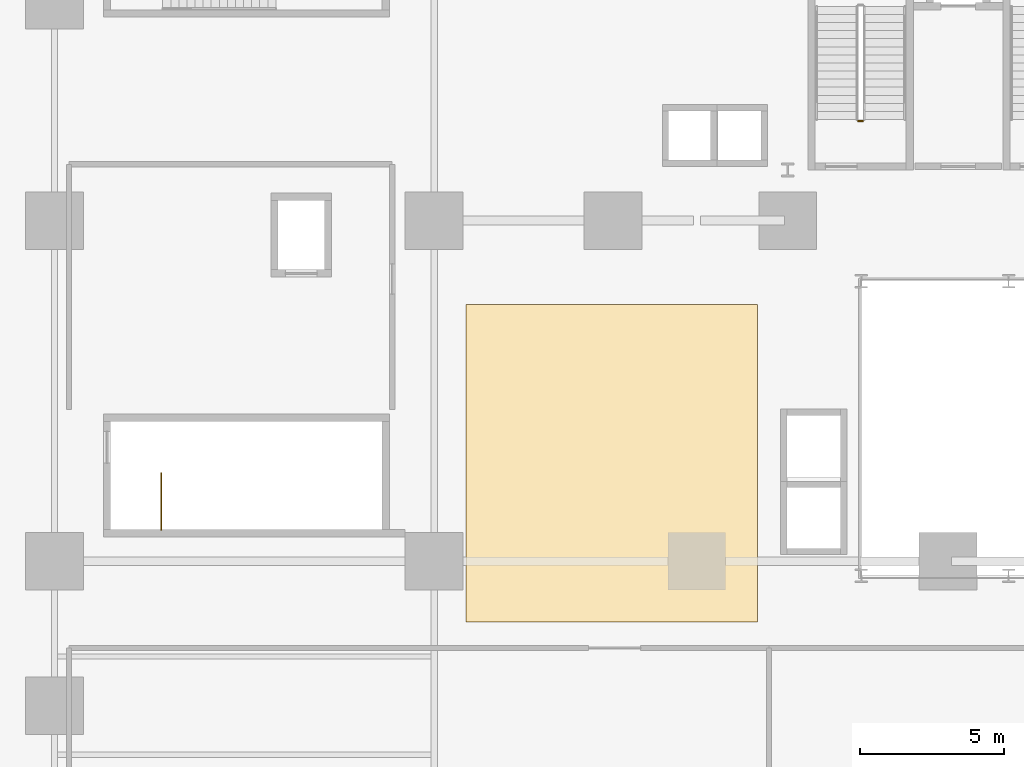
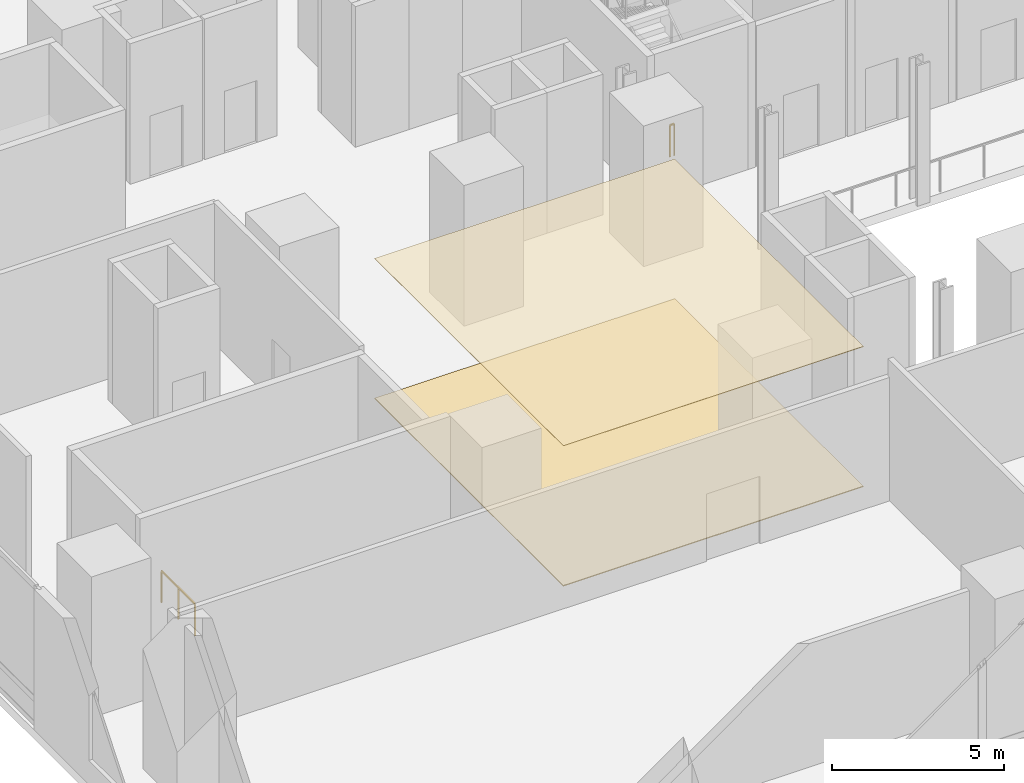
# One storey, part 12 of 15: 2 coverings, 2 railings.
"""IFC4 building model written with IfcOpenShell, lengths in metres."""

import ifcopenshell
import ifcopenshell.guid

model = None  # the IFC model being written
_history = None  # IfcOwnerHistory: only IFC2X3 demands one
_inside = {}  # id of a spatial element -> (the spatial element, [elements in it])
_under = {}  # id of a project, library or spatial element -> (it, [spatial elements below it])
_declared = {}  # id of a project -> (the project, [libraries it declares])
_typed = {}  # id of a type object -> (the type object, [elements of that type])
_made_of = {}  # id of a material, layer set ... -> (it, [elements and type objects made of it])


def new_model(schema):
    """Start an empty IFC model of exactly this schema.

    Asked for "IFC4X3", IfcOpenShell would pick the latest addendum, in which some entities
    have other attributes; the version numbers below select the first issue.
    IFC2X3 requires an IfcOwnerHistory on every rooted entity: one is made here for all.
    """
    global model, _history
    if schema == "IFC4X3":
        model = ifcopenshell.file(schema_version=(4, 3, 0, 0))
    else:
        model = ifcopenshell.file(schema=schema)
    _inside.clear()
    _under.clear()
    _declared.clear()
    _typed.clear()
    _made_of.clear()
    _history = None
    if model.schema == "IFC2X3":
        org = make("IfcOrganization", Name="unknown")
        user = make(
            "IfcPersonAndOrganization",
            ThePerson=make("IfcPerson", FamilyName="unknown"),
            TheOrganization=org,
        )
        app = make(
            "IfcApplication",
            ApplicationDeveloper=org,
            Version="unknown",
            ApplicationFullName="unknown",
            ApplicationIdentifier="unknown",
        )
        _history = make(
            "IfcOwnerHistory",
            OwningUser=user,
            OwningApplication=app,
            ChangeAction="ADDED",
            CreationDate=0,
        )
    return model


def make(cls, **values):
    """One entity of the class cls with the attributes given. An attribute that is None is left unset."""
    return model.create_entity(
        cls, **{name: value for name, value in values.items() if value is not None}
    )


def rooted(cls, **values):
    """An entity with a GlobalId (a new one), such as an element, a storey or a relation."""
    return make(cls, GlobalId=ifcopenshell.guid.new(), OwnerHistory=_history, **values)


def si_unit(unit_type, name, prefix=None):
    """IfcSIUnit, for example si_unit("LENGTHUNIT", "METRE", prefix="MILLI")."""
    return make("IfcSIUnit", UnitType=unit_type, Prefix=prefix, Name=name)


def assignment(units):
    """IfcUnitAssignment: the units of a project."""
    return None if units is None else make("IfcUnitAssignment", Units=units)


def point(xyz):
    """IfcCartesianPoint."""
    return None if xyz is None else make("IfcCartesianPoint", Coordinates=xyz)


def direction(xyz):
    """IfcDirection."""
    return None if xyz is None else make("IfcDirection", DirectionRatios=xyz)


def frame(location, z_axis=None, x_axis=None):
    """IfcAxis2Placement3D, a coordinate frame: its origin and axes. An axis left out is left unset."""
    return make(
        "IfcAxis2Placement3D",
        Location=point(location),
        Axis=direction(z_axis),
        RefDirection=direction(x_axis),
    )


def frame_2d(location, x_axis=None):
    """IfcAxis2Placement2D, a coordinate frame in the plane: its origin and x axis."""
    return make(
        "IfcAxis2Placement2D", Location=point(location), RefDirection=direction(x_axis)
    )


def origin():
    """The frame at (0, 0, 0) with its axes left unset."""
    return frame((0.0, 0.0, 0.0))


def origin_2d():
    """The frame at (0, 0) in the plane with its x axis left unset."""
    return frame_2d((0.0, 0.0))


def place(relative_to, where):
    """IfcLocalPlacement: puts the frame where relative to a parent placement (None: the world)."""
    return make(
        "IfcLocalPlacement", PlacementRelTo=relative_to, RelativePlacement=where
    )


def context(
    kind, dimensions, precision=None, world=None, true_north=None, identifier=None
):
    """IfcGeometricRepresentationContext, for example the 3D "Model" context."""
    return make(
        "IfcGeometricRepresentationContext",
        ContextIdentifier=identifier,
        ContextType=kind,
        CoordinateSpaceDimension=dimensions,
        Precision=precision,
        WorldCoordinateSystem=world,
        TrueNorth=true_north,
    )


def subcontext(parent, identifier, kind, view, scale=None):
    """IfcGeometricRepresentationSubContext, for example "Body" below "Model"."""
    return make(
        "IfcGeometricRepresentationSubContext",
        ContextIdentifier=identifier,
        ContextType=kind,
        ParentContext=parent,
        TargetScale=scale,
        TargetView=view,
    )


def project(units=None, contexts=None):
    """IfcProject with its units and contexts."""
    return rooted(
        "IfcProject",
        Name="project",
        RepresentationContexts=contexts,
        UnitsInContext=assignment(units),
    )


def spatial(cls, under=None, at=None, **own):
    """A site, building, storey or space (cls), placed at a placement, below another one or the project."""
    s = rooted(cls, ObjectPlacement=at, **own)
    if under is not None:
        _under.setdefault(under.id(), (under, []))[1].append(s)
    return s


def polyline(points):
    """IfcPolyline through the points."""
    return make("IfcPolyline", Points=[point(p) for p in points])


def profile(cls, at=None, kind="AREA", **sizes):
    """A parametric profile (cls). Its sizes go by their IFC names, for example OverallWidth=200.0."""
    return make(cls, ProfileType=kind, Position=at, **sizes)


def rectangle(**sizes):
    """IfcRectangleProfileDef."""
    return profile("IfcRectangleProfileDef", **sizes)


def outline(outer, holes=None, kind="AREA"):
    """IfcArbitraryClosedProfileDef: a profile drawn as a closed curve; with holes, ...WithVoids."""
    if holes is None:
        return make("IfcArbitraryClosedProfileDef", ProfileType=kind, OuterCurve=outer)
    return make(
        "IfcArbitraryProfileDefWithVoids",
        ProfileType=kind,
        OuterCurve=outer,
        InnerCurves=holes,
    )


def extrude(swept, where, along, depth):
    """IfcExtrudedAreaSolid: the profile swept, set in the frame where, extruded along a direction by depth."""
    return make(
        "IfcExtrudedAreaSolid",
        SweptArea=swept,
        Position=where,
        ExtrudedDirection=direction(along),
        Depth=depth,
    )


def shape(context_of_items, identifier, shape_type, items):
    """IfcShapeRepresentation: the items that make up one representation, for example the "Body"."""
    return make(
        "IfcShapeRepresentation",
        ContextOfItems=context_of_items,
        RepresentationIdentifier=identifier,
        RepresentationType=shape_type,
        Items=items,
    )


def source(mapping_origin, context_of_items, identifier, shape_type, items):
    """IfcRepresentationMap: a shape defined once, which mapped items show again and again."""
    return make(
        "IfcRepresentationMap",
        MappingOrigin=mapping_origin,
        MappedRepresentation=shape(context_of_items, identifier, shape_type, items),
    )


def transform(
    local_origin,
    x_axis=None,
    y_axis=None,
    z_axis=None,
    scale=None,
    scale2=None,
    scale3=None,
    uniform=True,
):
    """IfcCartesianTransformationOperator3D, or its non-uniform kind. x_axis, y_axis, z_axis: its Axis1, 2, 3."""
    if uniform:
        return make(
            "IfcCartesianTransformationOperator3D",
            Axis1=direction(x_axis),
            Axis2=direction(y_axis),
            LocalOrigin=point(local_origin),
            Scale=scale,
            Axis3=direction(z_axis),
        )
    return make(
        "IfcCartesianTransformationOperator3DnonUniform",
        Axis1=direction(x_axis),
        Axis2=direction(y_axis),
        LocalOrigin=point(local_origin),
        Scale=scale,
        Axis3=direction(z_axis),
        Scale2=scale2,
        Scale3=scale3,
    )


def mapped(mapping_source, mapping_target):
    """IfcMappedItem: shows the shape of a source again, moved by a transform."""
    return make(
        "IfcMappedItem", MappingSource=mapping_source, MappingTarget=mapping_target
    )


def material(Name=None, Category=None):
    """IfcMaterial."""
    return make("IfcMaterial", Name=Name, Category=Category)


def layer(
    of_material, thickness, ventilated=None, Name=None, Category=None, Priority=None
):
    """IfcMaterialLayer: one layer of a wall or slab, of a material (None: an air gap)."""
    return make(
        "IfcMaterialLayer",
        Material=of_material,
        LayerThickness=thickness,
        IsVentilated=ventilated,
        Name=Name,
        Category=Category,
        Priority=Priority,
    )


def layer_set(layers, Name=None):
    """IfcMaterialLayerSet."""
    return make("IfcMaterialLayerSet", MaterialLayers=layers, LayerSetName=Name)


def made_of(thing, what):
    """Note that an element or type object is made of a material, layer set ...; save() writes the relation."""
    if what is not None:
        _made_of.setdefault(what.id(), (what, []))[1].append(thing)
    return thing


def type_object(cls, material=None, **own):
    """A type object (cls), such as IfcWallType, which elements share."""
    return made_of(rooted(cls, **own), material)


def element(
    cls,
    number,
    at=None,
    inside=None,
    cuts=None,
    type_object=None,
    material=None,
    context=None,
    identifier="Body",
    shape_type=None,
    held_by="IfcProductDefinitionShape",
    body=None,
    shapes=None,
    **own,
):
    """One element of the class cls, such as IfcWall. Its Tag is "e" and its number.

    at: its placement. inside: the storey or other place that contains it. cuts: it is an
    opening in that element (IfcRelVoidsElement). A single representation is given by context,
    identifier, shape_type and body (its items); several are given by shapes. held_by: the class
    of the entity that holds the representations. save() writes the other relations.
    """
    e = rooted(cls, Tag="e%d" % number, ObjectPlacement=at, **own)
    if body is not None:
        shapes = [shape(context, identifier, shape_type, body)]
    if shapes is not None:
        e.Representation = make(held_by, Representations=shapes)
    if inside is not None:
        _inside.setdefault(inside.id(), (inside, []))[1].append(e)
    if cuts is not None:
        rooted(
            "IfcRelVoidsElement", RelatingBuildingElement=cuts, RelatedOpeningElement=e
        )
    if type_object is not None:
        _typed.setdefault(type_object.id(), (type_object, []))[1].append(e)
    return made_of(e, material)


def aggregate(whole, parts):
    """IfcRelAggregates: a whole, such as a stair, and the parts it consists of."""
    return rooted("IfcRelAggregates", RelatingObject=whole, RelatedObjects=parts)


def save(model, path):
    """Write the relations noted so far, then the file.

    IfcRelAggregates (storeys below a building ...), IfcRelContainedInSpatialStructure (elements
    in a storey), IfcRelDefinesByType, IfcRelAssociatesMaterial and IfcRelDeclares: one each for
    every whole, place, type object, material and project.
    """
    for whole, parts in _under.values():
        aggregate(whole, parts)
    for where, things in _inside.values():
        rooted(
            "IfcRelContainedInSpatialStructure",
            RelatedElements=things,
            RelatingStructure=where,
        )
    for kind, things in _typed.values():
        rooted("IfcRelDefinesByType", RelatedObjects=things, RelatingType=kind)
    for what, things in _made_of.values():
        rooted("IfcRelAssociatesMaterial", RelatedObjects=things, RelatingMaterial=what)
    for by, libraries in _declared.values():
        rooted("IfcRelDeclares", RelatingContext=by, RelatedDefinitions=libraries)
    model.write(path)


model = new_model("IFC4")

# Units and contexts
model_context = context("Model", 3, precision=1e-05, world=origin(), true_north=direction((0.0, 1.0)))
body_context = subcontext(model_context, "Body", "Model", "MODEL_VIEW")
ifc_project = project(units=[si_unit("LENGTHUNIT", "METRE"), si_unit("AREAUNIT", "SQUARE_METRE"), si_unit("VOLUMEUNIT", "CUBIC_METRE"), si_unit("PLANEANGLEUNIT", "RADIAN"), si_unit("MASSUNIT", "GRAM", prefix="KILO")], contexts=[model_context])

# Site, building, storey
site_placement = place(None, origin())
site = spatial("IfcSite", under=ifc_project, at=site_placement, CompositionType="ELEMENT")
building_placement = place(site_placement, origin())
building = spatial("IfcBuilding", under=site, at=building_placement, Name="Vardaveli Station Tower", CompositionType="ELEMENT")
storey_placement = place(building_placement, frame((0.0, 0.0, 6.0)))
storey = spatial("IfcBuildingStorey", under=building, at=storey_placement, Name="L02", CompositionType="ELEMENT", Elevation=6.0)

# Coverings
ifc_material_1 = material(Name="Perforated acoustic mineral ceiling")
ifc_layer_1 = layer(ifc_material_1, 0.02001953125, Name="Perforated acoustic mineral ceiling")
ifc_layer_set_1 = layer_set([ifc_layer_1], Name="Perforated acoustic mineral ceiling")
covering_type_1 = type_object("IfcCoveringType", Name="COV-CEIL-AC20", PredefinedType="CEILING", material=ifc_layer_set_1)
covering_1_placement = place(storey_placement, frame((0.0, 0.0, 4.985107421875)))
element("IfcCovering", 1, at=covering_1_placement, inside=storey, type_object=covering_type_1, Name="CEIL-L02-1", PredefinedType="CEILING", context=body_context, shape_type="SweptSolid", body=[
    extrude(outline(polyline([(17.5, 15.0), (27.60009765625, 15.0), (27.60009765625, 26.0), (17.5, 26.0), (17.5, 15.0)])), origin(), (0.0, 0.0, 1.0), 0.019775390625),
])
ifc_material_2 = material(Name="Honed Caucasian basalt and travertine flooring", Category="masonry")
ifc_layer_2 = layer(ifc_material_2, 0.030029296875, Name="Honed Caucasian basalt and travertine flooring")
ifc_layer_set_2 = layer_set([ifc_layer_2], Name="Honed Caucasian basalt and travertine flooring")
covering_type_2 = type_object("IfcCoveringType", Name="COV-FLOOR-ST30", PredefinedType="FLOORING", material=ifc_layer_set_2)
covering_2_placement = place(storey_placement, origin())
element("IfcCovering", 2, at=covering_2_placement, inside=storey, type_object=covering_type_2, Name="FLR-L02-1", PredefinedType="FLOORING", context=body_context, shape_type="SweptSolid", body=[
    extrude(outline(polyline([(17.5, 15.0), (27.60009765625, 15.0), (27.60009765625, 26.0), (17.5, 26.0), (17.5, 15.0)])), origin(), (0.0, 0.0, 1.0), 0.030029296875),
])

# Railings
ifc_material_3 = material(Name="Brushed AISI 316 stainless steel", Category="steel")
railing_type = type_object("IfcRailingType", Name="RL-GUARD-1150", PredefinedType="GUARDRAIL", material=ifc_material_3)
shared_shape_1 = source(origin(), body_context, "Body", "SweptSolid", [
    extrude(rectangle(XDim=0.048095703125, YDim=0.048095703125, at=origin_2d()), frame((0.0, 0.0, 1.1259765625), z_axis=(-1.0, 0.0, 0.0), x_axis=(0.0, -1.0, 0.0)), (0.0, 0.0, 1.0), 0.14990234375),
    extrude(rectangle(XDim=0.0419921875, YDim=0.0419921875, at=origin_2d()), origin(), (0.0, 0.0, 1.0), 1.101806640625),
    extrude(rectangle(XDim=0.0419921875, YDim=0.0419921875, at=origin_2d()), frame((-0.14990234375, 0.0, 0.0)), (0.0, 0.0, 1.0), 1.101806640625),
])
railing_1_placement = place(storey_placement, frame((31.25, 32.35009765625, 0.0)))
element("IfcRailing", 3, at=railing_1_placement, inside=storey, type_object=railing_type, Name="L02 ST-1 stair guard 4", PredefinedType="GUARDRAIL", context=body_context, shape_type="MappedRepresentation", body=[
    mapped(shared_shape_1, transform((0.0, 0.0, 0.0), scale=1.0)),
])
shared_shape_2 = source(origin(), body_context, "Body", "SweptSolid", [
    extrude(rectangle(XDim=0.048095703125, YDim=0.048095703125, at=origin_2d()), frame((0.0, 0.0, 1.1259765625), z_axis=(0.0, 1.0, 0.0), x_axis=(-1.0, 0.0, 0.0)), (0.0, 0.0, 1.0), 1.949951171875),
    extrude(rectangle(XDim=0.0419921875, YDim=0.0419921875, at=origin_2d()), origin(), (0.0, 0.0, 1.0), 1.101806640625),
    extrude(rectangle(XDim=0.0419921875, YDim=0.0419921875, at=origin_2d()), frame((0.0, 0.97509765625, 0.0)), (0.0, 0.0, 1.0), 1.101806640625),
    extrude(rectangle(XDim=0.0419921875, YDim=0.0419921875, at=origin_2d()), frame((0.0, 1.949951171875, 0.0)), (0.0, 0.0, 1.0), 1.101806640625),
])
railing_2_placement = place(storey_placement, frame((6.949951171875, 18.199951171875, 0.0)))
element("IfcRailing", 4, at=railing_2_placement, inside=storey, type_object=railing_type, Name="L02 ST-S1 top well guard 1", PredefinedType="GUARDRAIL", context=body_context, shape_type="MappedRepresentation", body=[
    mapped(shared_shape_2, transform((0.0, 0.0, 0.0), scale=1.0)),
])

save(model, "model.ifc")
